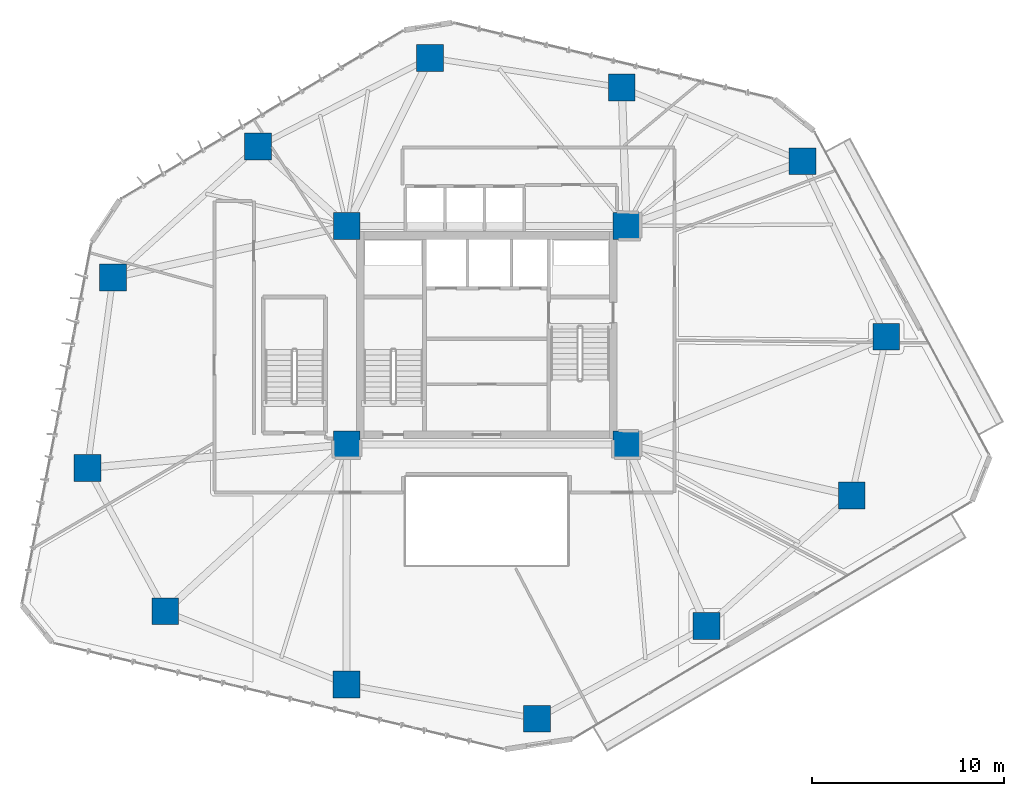
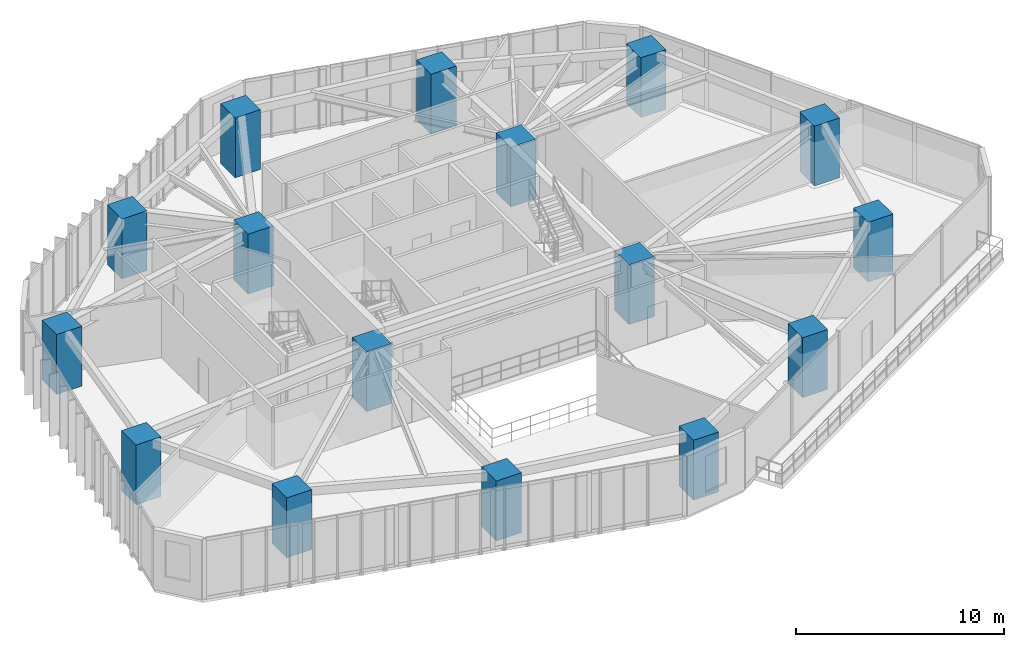
# One storey, part 1 of 23: 16 columns.
"""IFC4 building model written with IfcOpenShell, lengths in metres."""

from ifc_helpers import new_model, si_unit, direction, frame, origin, origin_2d, place, context, subcontext, project, spatial, rectangle, extrude, material, material_profile, profile_set, type_object, element, save


model = new_model("IFC4")

# Units and contexts
model_context = context("Model", 3, precision=1e-05, world=origin(), true_north=direction((0.0, 1.0)))
body_context = subcontext(model_context, "Body", "Model", "MODEL_VIEW")
ifc_project = project(units=[si_unit("LENGTHUNIT", "METRE"), si_unit("AREAUNIT", "SQUARE_METRE"), si_unit("VOLUMEUNIT", "CUBIC_METRE"), si_unit("PLANEANGLEUNIT", "RADIAN"), si_unit("MASSUNIT", "GRAM", prefix="KILO")], contexts=[model_context])

# Site, building, storey
site_placement = place(None, origin())
site = spatial("IfcSite", under=ifc_project, at=site_placement, CompositionType="ELEMENT")
building_placement = place(site_placement, origin())
building = spatial("IfcBuilding", under=site, at=building_placement, Name="Talar Marvaseh", CompositionType="ELEMENT")
storey_placement = place(building_placement, frame((0.0, 0.0, 50.60009765625)))
storey = spatial("IfcBuildingStorey", under=building, at=storey_placement, Name="L12", CompositionType="ELEMENT", Elevation=50.60009765625)

# Columns
ifc_material = material(Name="Concrete C70/85", Category="concrete")
ifc_material_profile = material_profile(ifc_material, rectangle(XDim=1.39990234375, YDim=1.39990234375, at=origin_2d()), Name="RC1400x1400")
ifc_profile_set = profile_set([ifc_material_profile], Name="Concrete C70/85")
column_type = type_object("IfcColumnType", Name="Zone 1 Tube Column RC1400x1400", PredefinedType="COLUMN", material=ifc_profile_set)
for number, where, z_axis, x_axis, name in (
    (1, (42.47705078125, 40.26904296875, 0.0), (0.0, 0.0, 1.0), (1.0, 0.0, 0.0), "L12 Zone 1 Tube Column RC1400x1400"),
    (2, (46.841064453125, 31.118896484375, 0.0), (0.0, 0.0, 1.0), (1.0, 0.0, 0.0), "L12 Zone 1 Tube Column RC1400x1400"),
    (3, (45.0439453125, 22.840087890625, 0.0), (0.0, 0.0, 1.0), (1.0, 0.0, 0.0), "L12 Zone 1 Tube Column RC1400x1400"),
    (4, (37.468017578125, 16.02099609375, 0.0), (0.0, 0.0, 1.0), (1.0, 0.0, 0.0), "L12 Zone 1 Tube Column RC1400x1400"),
    (5, (28.625, 11.195068359375, 0.0), (0.0, 0.0, 1.0), (1.0, 0.0, 0.0), "L12 Zone 1 Tube Column RC1400x1400"),
    (6, (18.68310546875, 12.97900390625, 0.0), (0.0, 0.0, 1.0), (1.0, 0.0, 0.0), "L12 Zone 1 Tube Column RC1400x1400"),
    (7, (9.23193359375, 16.7958984375, 0.0), (0.0, 0.0, 1.0), (1.0, 0.0, 0.0), "L12 Zone 1 Tube Column RC1400x1400"),
    (8, (5.175048828125, 24.27587890625, 0.0), (0.0, 0.0, 1.0), (1.0, 0.0, 0.0), "L12 Zone 1 Tube Column RC1400x1400"),
    (9, (6.501953125, 34.214111328125, 0.0), (0.0, 0.0, 1.0), (1.0, 0.0, 0.0), "L12 Zone 1 Tube Column RC1400x1400"),
    (10, (14.069091796875, 41.04296875, 0.0), (0.0, 0.0, 1.0), (1.0, 0.0, 0.0), "L12 Zone 1 Tube Column RC1400x1400"),
    (11, (23.047119140625, 45.6669921875, 0.0), (0.0, 0.0, 1.0), (1.0, 0.0, 0.0), "L12 Zone 1 Tube Column RC1400x1400"),
    (12, (33.0458984375, 44.117919921875, 0.0), (0.0, 0.0, 1.0), (1.0, 0.0, 0.0), "L12 Zone 1 Tube Column RC1400x1400"),
    (13, (18.699951171875, 25.5, 0.0), (0.0, 0.0, 1.0), (1.0, 0.0, 0.0), "L12 Zone 1 Tube Column RC1400x1400"),
    (14, (33.300048828125, 25.5, 0.0), (0.0, 0.0, 1.0), (1.0, 0.0, 0.0), "L12 Zone 1 Tube Column RC1400x1400"),
    (15, (33.300048828125, 36.89990234375, 0.0), (0.0, 0.0, 1.0), (1.0, 0.0, 0.0), "L12 Zone 1 Tube Column RC1400x1400"),
    (16, (18.699951171875, 36.89990234375, 0.0), (0.0, 0.0, 1.0), (1.0, 0.0, 0.0), "L12 Zone 1 Tube Column RC1400x1400"),
):
    element("IfcColumn", number, at=place(storey_placement, frame(where, z_axis=z_axis, x_axis=x_axis)), inside=storey, type_object=column_type, Name=name, PredefinedType="COLUMN", context=body_context, shape_type="SweptSolid", body=[
        extrude(rectangle(XDim=1.39990234375, YDim=1.39990234375, at=origin_2d()), origin(), (0.0, 0.0, 1.0), 3.52001953125),
    ])

save(model, "model.ifc")
